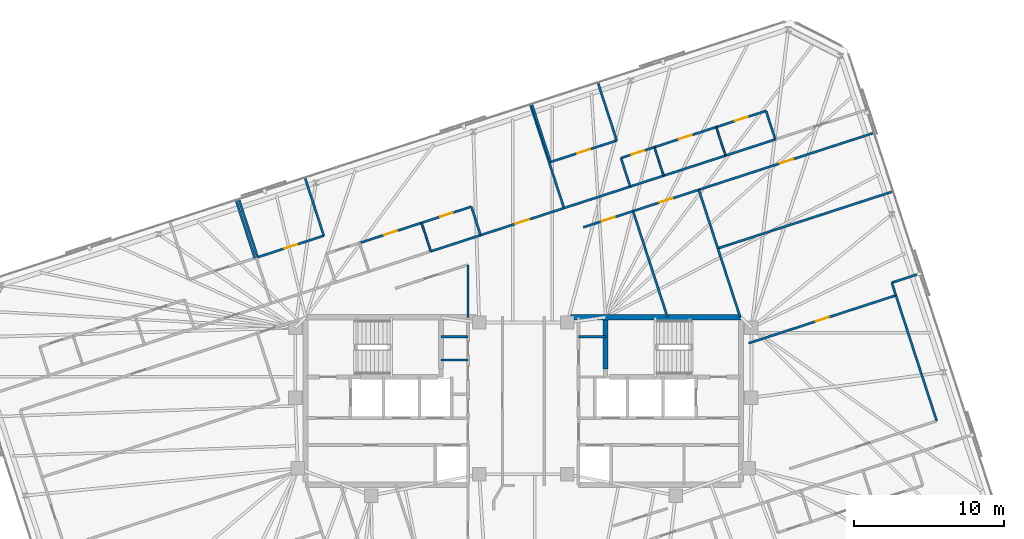
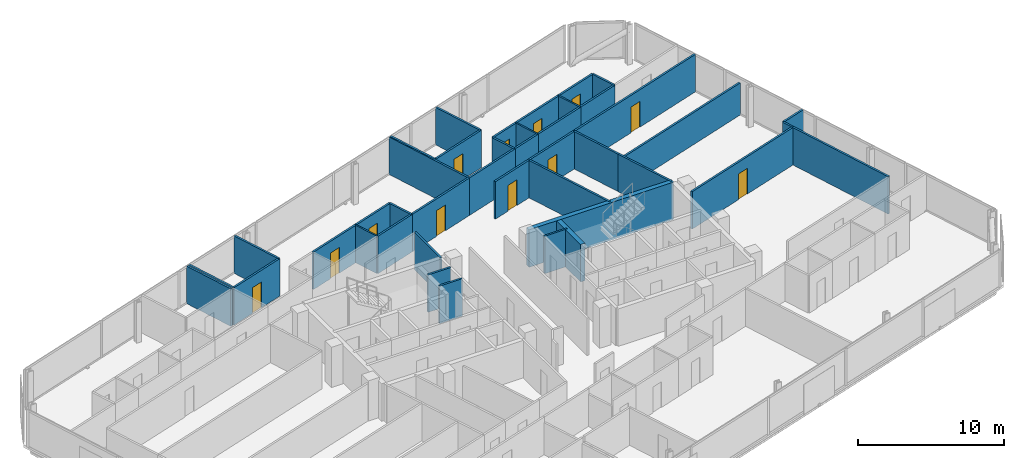
# One storey, part 17 of 20: 42 walls, 12 doors, 12 openings.
"""IFC4 building model written with IfcOpenShell, lengths in metres."""

import ifcopenshell
import ifcopenshell.guid

model = None  # the IFC model being written
_history = None  # IfcOwnerHistory: only IFC2X3 demands one
_inside = {}  # id of a spatial element -> (the spatial element, [elements in it])
_under = {}  # id of a project, library or spatial element -> (it, [spatial elements below it])
_declared = {}  # id of a project -> (the project, [libraries it declares])
_typed = {}  # id of a type object -> (the type object, [elements of that type])
_made_of = {}  # id of a material, layer set ... -> (it, [elements and type objects made of it])


def new_model(schema):
    """Start an empty IFC model of exactly this schema.

    Asked for "IFC4X3", IfcOpenShell would pick the latest addendum, in which some entities
    have other attributes; the version numbers below select the first issue.
    IFC2X3 requires an IfcOwnerHistory on every rooted entity: one is made here for all.
    """
    global model, _history
    if schema == "IFC4X3":
        model = ifcopenshell.file(schema_version=(4, 3, 0, 0))
    else:
        model = ifcopenshell.file(schema=schema)
    _inside.clear()
    _under.clear()
    _declared.clear()
    _typed.clear()
    _made_of.clear()
    _history = None
    if model.schema == "IFC2X3":
        org = make("IfcOrganization", Name="unknown")
        user = make(
            "IfcPersonAndOrganization",
            ThePerson=make("IfcPerson", FamilyName="unknown"),
            TheOrganization=org,
        )
        app = make(
            "IfcApplication",
            ApplicationDeveloper=org,
            Version="unknown",
            ApplicationFullName="unknown",
            ApplicationIdentifier="unknown",
        )
        _history = make(
            "IfcOwnerHistory",
            OwningUser=user,
            OwningApplication=app,
            ChangeAction="ADDED",
            CreationDate=0,
        )
    return model


def make(cls, **values):
    """One entity of the class cls with the attributes given. An attribute that is None is left unset."""
    return model.create_entity(
        cls, **{name: value for name, value in values.items() if value is not None}
    )


def rooted(cls, **values):
    """An entity with a GlobalId (a new one), such as an element, a storey or a relation."""
    return make(cls, GlobalId=ifcopenshell.guid.new(), OwnerHistory=_history, **values)


def si_unit(unit_type, name, prefix=None):
    """IfcSIUnit, for example si_unit("LENGTHUNIT", "METRE", prefix="MILLI")."""
    return make("IfcSIUnit", UnitType=unit_type, Prefix=prefix, Name=name)


def assignment(units):
    """IfcUnitAssignment: the units of a project."""
    return None if units is None else make("IfcUnitAssignment", Units=units)


def point(xyz):
    """IfcCartesianPoint."""
    return None if xyz is None else make("IfcCartesianPoint", Coordinates=xyz)


def direction(xyz):
    """IfcDirection."""
    return None if xyz is None else make("IfcDirection", DirectionRatios=xyz)


def frame(location, z_axis=None, x_axis=None):
    """IfcAxis2Placement3D, a coordinate frame: its origin and axes. An axis left out is left unset."""
    return make(
        "IfcAxis2Placement3D",
        Location=point(location),
        Axis=direction(z_axis),
        RefDirection=direction(x_axis),
    )


def frame_2d(location, x_axis=None):
    """IfcAxis2Placement2D, a coordinate frame in the plane: its origin and x axis."""
    return make(
        "IfcAxis2Placement2D", Location=point(location), RefDirection=direction(x_axis)
    )


def origin():
    """The frame at (0, 0, 0) with its axes left unset."""
    return frame((0.0, 0.0, 0.0))


def place(relative_to, where):
    """IfcLocalPlacement: puts the frame where relative to a parent placement (None: the world)."""
    return make(
        "IfcLocalPlacement", PlacementRelTo=relative_to, RelativePlacement=where
    )


def context(
    kind, dimensions, precision=None, world=None, true_north=None, identifier=None
):
    """IfcGeometricRepresentationContext, for example the 3D "Model" context."""
    return make(
        "IfcGeometricRepresentationContext",
        ContextIdentifier=identifier,
        ContextType=kind,
        CoordinateSpaceDimension=dimensions,
        Precision=precision,
        WorldCoordinateSystem=world,
        TrueNorth=true_north,
    )


def subcontext(parent, identifier, kind, view, scale=None):
    """IfcGeometricRepresentationSubContext, for example "Body" below "Model"."""
    return make(
        "IfcGeometricRepresentationSubContext",
        ContextIdentifier=identifier,
        ContextType=kind,
        ParentContext=parent,
        TargetScale=scale,
        TargetView=view,
    )


def project(units=None, contexts=None):
    """IfcProject with its units and contexts."""
    return rooted(
        "IfcProject",
        Name="project",
        RepresentationContexts=contexts,
        UnitsInContext=assignment(units),
    )


def spatial(cls, under=None, at=None, **own):
    """A site, building, storey or space (cls), placed at a placement, below another one or the project."""
    s = rooted(cls, ObjectPlacement=at, **own)
    if under is not None:
        _under.setdefault(under.id(), (under, []))[1].append(s)
    return s


def profile(cls, at=None, kind="AREA", **sizes):
    """A parametric profile (cls). Its sizes go by their IFC names, for example OverallWidth=200.0."""
    return make(cls, ProfileType=kind, Position=at, **sizes)


def rectangle(**sizes):
    """IfcRectangleProfileDef."""
    return profile("IfcRectangleProfileDef", **sizes)


def extrude(swept, where, along, depth):
    """IfcExtrudedAreaSolid: the profile swept, set in the frame where, extruded along a direction by depth."""
    return make(
        "IfcExtrudedAreaSolid",
        SweptArea=swept,
        Position=where,
        ExtrudedDirection=direction(along),
        Depth=depth,
    )


def shape(context_of_items, identifier, shape_type, items):
    """IfcShapeRepresentation: the items that make up one representation, for example the "Body"."""
    return make(
        "IfcShapeRepresentation",
        ContextOfItems=context_of_items,
        RepresentationIdentifier=identifier,
        RepresentationType=shape_type,
        Items=items,
    )


def material(Name=None, Category=None):
    """IfcMaterial."""
    return make("IfcMaterial", Name=Name, Category=Category)


def layer(
    of_material, thickness, ventilated=None, Name=None, Category=None, Priority=None
):
    """IfcMaterialLayer: one layer of a wall or slab, of a material (None: an air gap)."""
    return make(
        "IfcMaterialLayer",
        Material=of_material,
        LayerThickness=thickness,
        IsVentilated=ventilated,
        Name=Name,
        Category=Category,
        Priority=Priority,
    )


def layer_set(layers, Name=None):
    """IfcMaterialLayerSet."""
    return make("IfcMaterialLayerSet", MaterialLayers=layers, LayerSetName=Name)


def made_of(thing, what):
    """Note that an element or type object is made of a material, layer set ...; save() writes the relation."""
    if what is not None:
        _made_of.setdefault(what.id(), (what, []))[1].append(thing)
    return thing


def type_object(cls, material=None, **own):
    """A type object (cls), such as IfcWallType, which elements share."""
    return made_of(rooted(cls, **own), material)


def element(
    cls,
    number,
    at=None,
    inside=None,
    cuts=None,
    type_object=None,
    material=None,
    context=None,
    identifier="Body",
    shape_type=None,
    held_by="IfcProductDefinitionShape",
    body=None,
    shapes=None,
    **own,
):
    """One element of the class cls, such as IfcWall. Its Tag is "e" and its number.

    at: its placement. inside: the storey or other place that contains it. cuts: it is an
    opening in that element (IfcRelVoidsElement). A single representation is given by context,
    identifier, shape_type and body (its items); several are given by shapes. held_by: the class
    of the entity that holds the representations. save() writes the other relations.
    """
    e = rooted(cls, Tag="e%d" % number, ObjectPlacement=at, **own)
    if body is not None:
        shapes = [shape(context, identifier, shape_type, body)]
    if shapes is not None:
        e.Representation = make(held_by, Representations=shapes)
    if inside is not None:
        _inside.setdefault(inside.id(), (inside, []))[1].append(e)
    if cuts is not None:
        rooted(
            "IfcRelVoidsElement", RelatingBuildingElement=cuts, RelatedOpeningElement=e
        )
    if type_object is not None:
        _typed.setdefault(type_object.id(), (type_object, []))[1].append(e)
    return made_of(e, material)


def fill(opening, filler):
    """IfcRelFillsElement: the door or window that sits in an opening."""
    return rooted(
        "IfcRelFillsElement",
        RelatingOpeningElement=opening,
        RelatedBuildingElement=filler,
    )


def aggregate(whole, parts):
    """IfcRelAggregates: a whole, such as a stair, and the parts it consists of."""
    return rooted("IfcRelAggregates", RelatingObject=whole, RelatedObjects=parts)


def save(model, path):
    """Write the relations noted so far, then the file.

    IfcRelAggregates (storeys below a building ...), IfcRelContainedInSpatialStructure (elements
    in a storey), IfcRelDefinesByType, IfcRelAssociatesMaterial and IfcRelDeclares: one each for
    every whole, place, type object, material and project.
    """
    for whole, parts in _under.values():
        aggregate(whole, parts)
    for where, things in _inside.values():
        rooted(
            "IfcRelContainedInSpatialStructure",
            RelatedElements=things,
            RelatingStructure=where,
        )
    for kind, things in _typed.values():
        rooted("IfcRelDefinesByType", RelatedObjects=things, RelatingType=kind)
    for what, things in _made_of.values():
        rooted("IfcRelAssociatesMaterial", RelatedObjects=things, RelatingMaterial=what)
    for by, libraries in _declared.values():
        rooted("IfcRelDeclares", RelatingContext=by, RelatedDefinitions=libraries)
    model.write(path)


model = new_model("IFC4")

# Units and contexts
model_context = context("Model", 3, precision=1e-05, world=origin(), true_north=direction((0.0, 1.0)))
body_context = subcontext(model_context, "Body", "Model", "MODEL_VIEW")
ifc_project = project(units=[si_unit("LENGTHUNIT", "METRE"), si_unit("AREAUNIT", "SQUARE_METRE"), si_unit("VOLUMEUNIT", "CUBIC_METRE"), si_unit("PLANEANGLEUNIT", "RADIAN"), si_unit("MASSUNIT", "GRAM", prefix="KILO")], contexts=[model_context])

# Site, building, storey
site_placement = place(None, origin())
site = spatial("IfcSite", under=ifc_project, at=site_placement, CompositionType="ELEMENT")
building_placement = place(site_placement, origin())
building = spatial("IfcBuilding", under=site, at=building_placement, Name="Menara Jurai Vektor", CompositionType="ELEMENT")
storey_placement = place(building_placement, frame((0.0, 0.0, 237.699951171875)))
storey = spatial("IfcBuildingStorey", under=building, at=storey_placement, Name="L63", CompositionType="ELEMENT", Elevation=237.699951171875)

# Walls
ifc_material_1 = material(Name="Gypsum Fireboard Partition", Category="gypsum")
ifc_layer_1 = layer(ifc_material_1, 0.14990234375)
ifc_layer_set_1 = layer_set([ifc_layer_1], Name="Gypsum Fireboard Partition")
wall_type_1 = type_object("IfcWallType", Name="INT-WALL-CORR-150", PredefinedType="PARTITIONING", material=ifc_layer_set_1)
for number, where, z_axis, x_axis, name in (
    (1, (-5.5, 4.300048828125, 0.0), (0.0, 0.0, 1.0), (1.0, 0.0, 0.0), "Interior Wall IW-150 L63"),
    (2, (-5.5, 2.75, 0.0), (0.0, 0.0, 1.0), (1.0, 0.0, 0.0), "Interior Wall IW-150 L63"),
    (3, (3.699951171875, 4.300048828125, 0.0), (0.0, 0.0, 1.0), (1.0, 0.0, 0.0), "Interior Wall IW-150 L63"),
):
    element("IfcWall", number, at=place(storey_placement, frame(where, z_axis=z_axis, x_axis=x_axis)), inside=storey, type_object=wall_type_1, Name=name, PredefinedType="PARTITIONING", context=body_context, shape_type="SweptSolid", body=[
        extrude(rectangle(XDim=1.800048828125, YDim=0.14990234375, at=frame_2d((0.89990234375, 0.0))), origin(), (0.0, 0.0, 1.0), 3.125),
    ])

# Wall, opening, door
wall_1_placement = place(storey_placement, frame((-2.8564453125, 11.087158203125, 0.0), z_axis=(0.0, 0.0, 1.0), x_axis=(0.95106314138, 0.308996603718, 0.0)))
wall_1 = element("IfcWall", 4, at=wall_1_placement, inside=storey, type_object=wall_type_1, Name="Interior Wall IW-150 L63", PredefinedType="PARTITIONING", context=body_context, shape_type="SweptSolid", body=[
    extrude(rectangle(XDim=5.86181640625, YDim=0.14990234375, at=frame_2d((2.930908203125, 0.0))), origin(), (0.0, 0.0, 1.0), 3.125),
])
opening_1_placement = place(wall_1_placement, frame((2.4560546875, 0.0, 0.0)))
opening_1 = element("IfcOpeningElement", 5, at=opening_1_placement, cuts=wall_1, Name="Opening D63-15", PredefinedType="OPENING", context=body_context, shape_type="SweptSolid", body=[
    extrude(rectangle(XDim=0.949951171875, YDim=2.14990234375, at=frame_2d((0.47509765625, 1.074951171875))), frame((0.0, 0.0849609375, 0.0), z_axis=(0.0, -1.0, 0.0), x_axis=(1.0, 0.0, 0.0)), (0.0, 0.0, 1.0), 0.169921875),
])
ifc_material_2 = material(Name="Solid Core Timber Fire Door", Category="wood")
door_type_1 = type_object("IfcDoorType", Name="DR-ENTRY-950", OperationType="NOTDEFINED", PredefinedType="DOOR", material=ifc_material_2)
door_1_placement = place(opening_1_placement, origin())
door_1 = element("IfcDoor", 6, at=door_1_placement, inside=storey, type_object=door_type_1, Name="Interior Door D63-15", OperationType="SINGLE_SWING_LEFT", OverallHeight=2.14990234375, OverallWidth=0.949951171875, PredefinedType="DOOR", context=body_context, shape_type="SweptSolid", body=[
    extrude(rectangle(XDim=0.949951171875, YDim=2.14990234375, at=frame_2d((0.47509765625, 1.074951171875))), frame((0.0, 0.02490234375, 0.0), z_axis=(0.0, -1.0, 0.0), x_axis=(1.0, 0.0, 0.0)), (0.0, 0.0, 1.0), 0.050048828125),
])
fill(opening_1, door_1)

# Walls
wall_2_placement = place(storey_placement, frame((-6.185302734375, 10.005615234375, 0.0), z_axis=(0.0, 0.0, 1.0), x_axis=(0.951062257173, 0.308999325213, 0.0)))
element("IfcWall", 7, at=wall_2_placement, inside=storey, type_object=wall_type_1, Name="Interior Wall IW-150 L63", PredefinedType="PARTITIONING", context=body_context, shape_type="SweptSolid", body=[
    extrude(rectangle(XDim=3.500244140625, YDim=0.14990234375, at=frame_2d((1.75, 0.0))), origin(), (0.0, 0.0, 1.0), 3.125),
])
wall_3_placement = place(storey_placement, frame((2.718505859375, 12.8984375, 0.0), z_axis=(0.0, 0.0, 1.0), x_axis=(0.951053341802, 0.309026764289, 0.0)))
element("IfcWall", 8, at=wall_3_placement, inside=storey, type_object=wall_type_1, Name="Interior Wall IW-150 L63", PredefinedType="PARTITIONING", context=body_context, shape_type="SweptSolid", body=[
    extrude(rectangle(XDim=4.654052734375, YDim=0.14990234375, at=frame_2d((2.3271484375, 0.0))), origin(), (0.0, 0.0, 1.0), 3.125),
])
wall_4_placement = place(storey_placement, frame((7.144775390625, 14.336669921875, 0.0), z_axis=(0.0, 0.0, 1.0), x_axis=(0.951045519245, 0.309050837767, 0.0)))
element("IfcWall", 9, at=wall_4_placement, inside=storey, type_object=wall_type_1, Name="Interior Wall IW-150 L63", PredefinedType="PARTITIONING", context=body_context, shape_type="SweptSolid", body=[
    extrude(rectangle(XDim=2.35009765625, YDim=0.14990234375, at=frame_2d((1.175048828125, 0.0))), origin(), (0.0, 0.0, 1.0), 3.125),
])
wall_5_placement = place(storey_placement, frame((9.3798828125, 15.06298828125, 0.0), z_axis=(0.0, 0.0, 1.0), x_axis=(0.951069122051, 0.308978195154, 0.0)))
element("IfcWall", 10, at=wall_5_placement, inside=storey, type_object=wall_type_1, Name="Interior Wall IW-150 L63", PredefinedType="PARTITIONING", context=body_context, shape_type="SweptSolid", body=[
    extrude(rectangle(XDim=4.349853515625, YDim=0.14990234375, at=frame_2d((2.1748046875, 0.0))), origin(), (0.0, 0.0, 1.0), 3.125),
])
wall_6_placement = place(storey_placement, frame((13.516845703125, 16.406982421875, 0.0), z_axis=(0.0, 0.0, 1.0), x_axis=(0.951041757107, 0.309062414796, 0.0)))
element("IfcWall", 11, at=wall_6_placement, inside=storey, type_object=wall_type_1, Name="Interior Wall IW-150 L63", PredefinedType="PARTITIONING", context=body_context, shape_type="SweptSolid", body=[
    extrude(rectangle(XDim=3.500244140625, YDim=0.14990234375, at=frame_2d((1.75, 0.0))), origin(), (0.0, 0.0, 1.0), 3.125),
])

# Wall, opening, door
wall_7_placement = place(storey_placement, frame((4.013427734375, 11.61572265625, 0.0), z_axis=(0.0, 0.0, 1.0), x_axis=(0.951054104561, 0.309024416831, 0.0)))
wall_7 = element("IfcWall", 12, at=wall_7_placement, inside=storey, type_object=wall_type_1, Name="Interior Wall IW-150 L63", PredefinedType="PARTITIONING", context=body_context, shape_type="SweptSolid", body=[
    extrude(rectangle(XDim=3.491943359375, YDim=0.14990234375, at=frame_2d((1.74609375, 0.0))), origin(), (0.0, 0.0, 1.0), 3.125),
])
opening_2_placement = place(wall_7_placement, frame((1.285888671875, 0.0, 0.0)))
opening_2 = element("IfcOpeningElement", 13, at=opening_2_placement, cuts=wall_7, Name="Opening D63-49", PredefinedType="OPENING", context=body_context, shape_type="SweptSolid", body=[
    extrude(rectangle(XDim=0.919921875, YDim=2.14990234375, at=frame_2d((0.4599609375, 1.074951171875))), frame((0.0, 0.0849609375, 0.0), z_axis=(0.0, -1.0, 0.0), x_axis=(1.0, 0.0, 0.0)), (0.0, 0.0, 1.0), 0.169921875),
])
door_2_placement = place(opening_2_placement, origin())
door_2 = element("IfcDoor", 14, at=door_2_placement, inside=storey, type_object=door_type_1, Name="Interior Door D63-49", OperationType="SINGLE_SWING_LEFT", OverallHeight=2.14990234375, OverallWidth=0.919921875, PredefinedType="DOOR", context=body_context, shape_type="SweptSolid", body=[
    extrude(rectangle(XDim=0.919921875, YDim=2.14990234375, at=frame_2d((0.4599609375, 1.074951171875))), frame((0.0, 0.02490234375, 0.0), z_axis=(0.0, -1.0, 0.0), x_axis=(1.0, 0.0, 0.0)), (0.0, 0.0, 1.0), 0.050048828125),
])
fill(opening_2, door_2)

wall_8_placement = place(storey_placement, frame((7.33447265625, 12.69482421875, 0.0), z_axis=(0.0, 0.0, 1.0), x_axis=(0.951043772533, 0.30905621289, 0.0)))
wall_8 = element("IfcWall", 15, at=wall_8_placement, inside=storey, type_object=wall_type_1, Name="Interior Wall IW-150 L63", PredefinedType="PARTITIONING", context=body_context, shape_type="SweptSolid", body=[
    extrude(rectangle(XDim=4.6220703125, YDim=0.14990234375, at=frame_2d((2.31103515625, 0.0))), origin(), (0.0, 0.0, 1.0), 3.125),
])
opening_3_placement = place(wall_8_placement, frame((1.85107421875, 0.0, 0.0)))
opening_3 = element("IfcOpeningElement", 16, at=opening_3_placement, cuts=wall_8, Name="Opening D63-50", PredefinedType="OPENING", context=body_context, shape_type="SweptSolid", body=[
    extrude(rectangle(XDim=0.919921875, YDim=2.14990234375, at=frame_2d((0.4599609375, 1.074951171875))), frame((0.0, 0.0849609375, 0.0), z_axis=(0.0, -1.0, 0.0), x_axis=(1.0, 0.0, 0.0)), (0.0, 0.0, 1.0), 0.169921875),
])
door_3_placement = place(opening_3_placement, origin())
door_3 = element("IfcDoor", 17, at=door_3_placement, inside=storey, type_object=door_type_1, Name="Interior Door D63-50", OperationType="SINGLE_SWING_RIGHT", OverallHeight=2.14990234375, OverallWidth=0.919921875, PredefinedType="DOOR", context=body_context, shape_type="SweptSolid", body=[
    extrude(rectangle(XDim=0.919921875, YDim=2.14990234375, at=frame_2d((0.4599609375, 1.074951171875))), frame((0.0, 0.02490234375, 0.0), z_axis=(0.0, -1.0, 0.0), x_axis=(1.0, 0.0, 0.0)), (0.0, 0.0, 1.0), 0.050048828125),
])
fill(opening_3, door_3)

# Walls
wall_9_placement = place(storey_placement, frame((-3.7001953125, 5.599853515625, 0.0), z_axis=(0.0, 0.0, 1.0), x_axis=(0.000139120755, 0.999999990323, 0.0)))
element("IfcWall", 18, at=wall_9_placement, inside=storey, type_object=wall_type_1, Name="Interior Wall IW-150 L63", PredefinedType="PARTITIONING", context=body_context, shape_type="SweptSolid", body=[
    extrude(rectangle(XDim=3.509765625, YDim=0.14990234375, at=frame_2d((1.7548828125, 0.0))), origin(), (0.0, 0.0, 1.0), 3.125),
])
wall_10_placement = place(storey_placement, frame((27.63671875, -1.331787109375, 0.0), z_axis=(0.0, 0.0, 1.0), x_axis=(-0.309040411618, 0.951048907253, 0.0)))
element("IfcWall", 19, at=wall_10_placement, inside=storey, type_object=wall_type_1, Name="Interior Wall IW-150 L63", PredefinedType="PARTITIONING", context=body_context, shape_type="SweptSolid", body=[
    extrude(rectangle(XDim=8.825927734375, YDim=0.14990234375, at=frame_2d((4.4130859375, 0.0))), origin(), (0.0, 0.0, 1.0), 3.125),
])
wall_11_placement = place(storey_placement, frame((24.9091796875, 7.06201171875, 0.0), z_axis=(0.0, 0.0, 1.0), x_axis=(-0.30899324298, 0.951064233263, 0.0)))
element("IfcWall", 20, at=wall_11_placement, inside=storey, type_object=wall_type_1, Name="Interior Wall IW-150 L63", PredefinedType="PARTITIONING", context=body_context, shape_type="SweptSolid", body=[
    extrude(rectangle(XDim=0.89208984375, YDim=0.14990234375, at=frame_2d((0.446044921875, 0.0))), origin(), (0.0, 0.0, 1.0), 3.125),
])
wall_12_placement = place(storey_placement, frame((24.633544921875, 7.910400390625, 0.0), z_axis=(0.0, 0.0, 1.0), x_axis=(0.951054051148, 0.309024581215, 0.0)))
element("IfcWall", 21, at=wall_12_placement, inside=storey, type_object=wall_type_1, Name="Interior Wall IW-150 L63", PredefinedType="PARTITIONING", context=body_context, shape_type="SweptSolid", body=[
    extrude(rectangle(XDim=1.97509765625, YDim=0.14990234375, at=frame_2d((0.987548828125, 0.0))), origin(), (0.0, 0.0, 1.0), 3.125),
])

# Wall, opening, door
wall_13_placement = place(storey_placement, frame((11.730224609375, 14.123291015625, 0.0), z_axis=(0.0, 0.0, 1.0), x_axis=(0.951060263663, 0.309005460926, 0.0)))
wall_13 = element("IfcWall", 22, at=wall_13_placement, inside=storey, type_object=wall_type_1, Name="Interior Wall IW-150 L63", PredefinedType="PARTITIONING", context=body_context, shape_type="SweptSolid", body=[
    extrude(rectangle(XDim=12.326904296875, YDim=0.14990234375, at=frame_2d((6.16357421875, 0.0))), origin(), (0.0, 0.0, 1.0), 3.125),
])
opening_4_placement = place(wall_13_placement, frame((5.70361328125, 0.0, 0.0)))
opening_4 = element("IfcOpeningElement", 23, at=opening_4_placement, cuts=wall_13, Name="Opening D63-55", PredefinedType="OPENING", context=body_context, shape_type="SweptSolid", body=[
    extrude(rectangle(XDim=0.919921875, YDim=2.14990234375, at=frame_2d((0.4599609375, 1.074951171875))), frame((0.0, 0.0849609375, 0.0), z_axis=(0.0, -1.0, 0.0), x_axis=(1.0, 0.0, 0.0)), (0.0, 0.0, 1.0), 0.169921875),
])
door_4_placement = place(opening_4_placement, origin())
door_4 = element("IfcDoor", 24, at=door_4_placement, inside=storey, type_object=door_type_1, Name="Interior Door D63-55", OperationType="SINGLE_SWING_LEFT", OverallHeight=2.14990234375, OverallWidth=0.919921875, PredefinedType="DOOR", context=body_context, shape_type="SweptSolid", body=[
    extrude(rectangle(XDim=0.919921875, YDim=2.14990234375, at=frame_2d((0.4599609375, 1.074951171875))), frame((0.0, 0.02490234375, 0.0), z_axis=(0.0, -1.0, 0.0), x_axis=(1.0, 0.0, 0.0)), (0.0, 0.0, 1.0), 0.050048828125),
])
fill(opening_4, door_4)

# Wall
wall_14_placement = place(storey_placement, frame((-17.950927734375, 9.552490234375, 0.0), z_axis=(0.0, 0.0, 1.0), x_axis=(-0.309018403393, 0.951056058476, 0.0)))
element("IfcWall", 25, at=wall_14_placement, inside=storey, type_object=wall_type_1, Name="Interior Wall IW-150 L63", PredefinedType="PARTITIONING", context=body_context, shape_type="SweptSolid", body=[
    extrude(rectangle(XDim=4.0791015625, YDim=0.14990234375, at=frame_2d((2.03955078125, 0.0))), origin(), (0.0, 0.0, 1.0), 3.125),
])

# Wall, opening, door
wall_15_placement = place(storey_placement, frame((-10.94189453125, 10.568115234375, 0.0), z_axis=(0.0, 0.0, 1.0), x_axis=(0.951057987102, 0.309012467661, 0.0)))
wall_15 = element("IfcWall", 26, at=wall_15_placement, inside=storey, type_object=wall_type_1, Name="Interior Wall IW-150 L63", PredefinedType="PARTITIONING", context=body_context, shape_type="SweptSolid", body=[
    extrude(rectangle(XDim=4.35009765625, YDim=0.14990234375, at=frame_2d((2.175048828125, 0.0))), origin(), (0.0, 0.0, 1.0), 3.125),
])
opening_5_placement = place(wall_15_placement, frame((1.72509765625, 0.0, 0.0)))
opening_5 = element("IfcOpeningElement", 27, at=opening_5_placement, cuts=wall_15, Name="Opening D63-17", PredefinedType="OPENING", context=body_context, shape_type="SweptSolid", body=[
    extrude(rectangle(XDim=0.89990234375, YDim=2.14990234375, at=frame_2d((0.449951171875, 1.074951171875))), frame((0.0, 0.0849609375, 0.0), z_axis=(0.0, -1.0, 0.0), x_axis=(1.0, 0.0, 0.0)), (0.0, 0.0, 1.0), 0.169921875),
])
ifc_material_3 = material(Name="Acoustic Timber Interior Door", Category="wood")
door_type_2 = type_object("IfcDoorType", Name="DR-ROOM-900", OperationType="NOTDEFINED", PredefinedType="DOOR", material=ifc_material_3)
door_5_placement = place(opening_5_placement, origin())
door_5 = element("IfcDoor", 28, at=door_5_placement, inside=storey, type_object=door_type_2, Name="Interior Door D63-17", OperationType="SINGLE_SWING_LEFT", OverallHeight=2.14990234375, OverallWidth=0.89990234375, PredefinedType="DOOR", context=body_context, shape_type="SweptSolid", body=[
    extrude(rectangle(XDim=0.89990234375, YDim=2.14990234375, at=frame_2d((0.449951171875, 1.074951171875))), frame((0.0, 0.02490234375, 0.0), z_axis=(0.0, -1.0, 0.0), x_axis=(1.0, 0.0, 0.0)), (0.0, 0.0, 1.0), 0.050048828125),
])
fill(opening_5, door_5)

wall_16_placement = place(storey_placement, frame((-6.8046875, 11.912353515625, 0.0), z_axis=(0.0, 0.0, 1.0), x_axis=(0.951055596592, 0.309019824916, 0.0)))
wall_16 = element("IfcWall", 29, at=wall_16_placement, inside=storey, type_object=wall_type_1, Name="Interior Wall IW-150 L63", PredefinedType="PARTITIONING", context=body_context, shape_type="SweptSolid", body=[
    extrude(rectangle(XDim=3.5, YDim=0.14990234375, at=frame_2d((1.75, 0.0))), origin(), (0.0, 0.0, 1.0), 3.125),
])
opening_6_placement = place(wall_16_placement, frame((1.31005859375, 0.0, 0.0)))
opening_6 = element("IfcOpeningElement", 30, at=opening_6_placement, cuts=wall_16, Name="Opening D63-18", PredefinedType="OPENING", context=body_context, shape_type="SweptSolid", body=[
    extrude(rectangle(XDim=0.8798828125, YDim=2.14990234375, at=frame_2d((0.43994140625, 1.074951171875))), frame((0.0, 0.0849609375, 0.0), z_axis=(0.0, -1.0, 0.0), x_axis=(1.0, 0.0, 0.0)), (0.0, 0.0, 1.0), 0.169921875),
])
ifc_material_4 = material(Name="Moisture-Resistant Timber Door", Category="wood")
door_type_3 = type_object("IfcDoorType", Name="DR-BATH-880", OperationType="NOTDEFINED", PredefinedType="DOOR", material=ifc_material_4)
door_6_placement = place(opening_6_placement, origin())
door_6 = element("IfcDoor", 31, at=door_6_placement, inside=storey, type_object=door_type_3, Name="Interior Door D63-18", OperationType="SINGLE_SWING_RIGHT", OverallHeight=2.14990234375, OverallWidth=0.8798828125, PredefinedType="DOOR", context=body_context, shape_type="SweptSolid", body=[
    extrude(rectangle(XDim=0.8798828125, YDim=2.14990234375, at=frame_2d((0.43994140625, 1.074951171875))), frame((0.0, 0.02490234375, 0.0), z_axis=(0.0, -1.0, 0.0), x_axis=(1.0, 0.0, 0.0)), (0.0, 0.0, 1.0), 0.050048828125),
])
fill(opening_6, door_6)

# Walls
wall_17_placement = place(storey_placement, frame((-2.8564453125, 11.087158203125, 0.0), z_axis=(0.0, 0.0, 1.0), x_axis=(-0.309058537449, 0.951043017129, 0.0)))
element("IfcWall", 32, at=wall_17_placement, inside=storey, type_object=wall_type_1, Name="Interior Wall IW-150 L63", PredefinedType="PARTITIONING", context=body_context, shape_type="SweptSolid", body=[
    extrude(rectangle(XDim=2.0048828125, YDim=0.14990234375, at=frame_2d((1.00244140625, 0.0))), origin(), (0.0, 0.0, 1.0), 3.125),
])
wall_18_placement = place(storey_placement, frame((-17.7607421875, 9.6142578125, 0.0), z_axis=(0.0, 0.0, 1.0), x_axis=(-0.309018403393, 0.951056058476, 0.0)))
element("IfcWall", 33, at=wall_18_placement, inside=storey, type_object=wall_type_1, Name="Interior Wall IW-150 L63", PredefinedType="PARTITIONING", context=body_context, shape_type="SweptSolid", body=[
    extrude(rectangle(XDim=4.0791015625, YDim=0.14990234375, at=frame_2d((2.03955078125, 0.0))), origin(), (0.0, 0.0, 1.0), 3.125),
])

# Wall, opening, door
wall_19_placement = place(storey_placement, frame((-17.7607421875, 9.6142578125, 0.0), z_axis=(0.0, 0.0, 1.0), x_axis=(0.951050272606, 0.309036209813, 0.0)))
wall_19 = element("IfcWall", 34, at=wall_19_placement, inside=storey, type_object=wall_type_1, Name="Interior Wall IW-150 L63", PredefinedType="PARTITIONING", context=body_context, shape_type="SweptSolid", body=[
    extrude(rectangle(XDim=4.64990234375, YDim=0.14990234375, at=frame_2d((2.324951171875, 0.0))), origin(), (0.0, 0.0, 1.0), 3.125),
])
opening_7_placement = place(wall_19_placement, frame((1.875, 0.0, 0.0)))
opening_7 = element("IfcOpeningElement", 35, at=opening_7_placement, cuts=wall_19, Name="Opening D63-19", PredefinedType="OPENING", context=body_context, shape_type="SweptSolid", body=[
    extrude(rectangle(XDim=0.89990234375, YDim=2.14990234375, at=frame_2d((0.449951171875, 1.074951171875))), frame((0.0, 0.0849609375, 0.0), z_axis=(0.0, -1.0, 0.0), x_axis=(1.0, 0.0, 0.0)), (0.0, 0.0, 1.0), 0.169921875),
])
door_7_placement = place(opening_7_placement, origin())
door_7 = element("IfcDoor", 36, at=door_7_placement, inside=storey, type_object=door_type_2, Name="Interior Door D63-19", OperationType="SINGLE_SWING_LEFT", OverallHeight=2.14990234375, OverallWidth=0.89990234375, PredefinedType="DOOR", context=body_context, shape_type="SweptSolid", body=[
    extrude(rectangle(XDim=0.89990234375, YDim=2.14990234375, at=frame_2d((0.449951171875, 1.074951171875))), frame((0.0, 0.02490234375, 0.0), z_axis=(0.0, -1.0, 0.0), x_axis=(1.0, 0.0, 0.0)), (0.0, 0.0, 1.0), 0.050048828125),
])
fill(opening_7, door_7)

# Walls
wall_20_placement = place(storey_placement, frame((-13.33837890625, 11.05126953125, 0.0), z_axis=(0.0, 0.0, 1.0), x_axis=(-0.309018403393, 0.951056058476, 0.0)))
element("IfcWall", 37, at=wall_20_placement, inside=storey, type_object=wall_type_1, Name="Interior Wall IW-150 L63", PredefinedType="PARTITIONING", context=body_context, shape_type="SweptSolid", body=[
    extrude(rectangle(XDim=4.0791015625, YDim=0.14990234375, at=frame_2d((2.03955078125, 0.0))), origin(), (0.0, 0.0, 1.0), 3.125),
])
wall_21_placement = place(storey_placement, frame((2.718505859375, 12.8984375, 0.0), z_axis=(0.0, 0.0, 1.0), x_axis=(-0.308998913866, 0.951062390819, 0.0)))
element("IfcWall", 38, at=wall_21_placement, inside=storey, type_object=wall_type_1, Name="Interior Wall IW-150 L63", PredefinedType="PARTITIONING", context=body_context, shape_type="SweptSolid", body=[
    extrude(rectangle(XDim=7.283935546875, YDim=0.14990234375, at=frame_2d((3.64208984375, 0.0))), origin(), (0.0, 0.0, 1.0), 3.125),
])
wall_22_placement = place(storey_placement, frame((7.144775390625, 14.336669921875, 0.0), z_axis=(0.0, 0.0, 1.0), x_axis=(-0.308948390121, 0.951078804433, 0.0)))
element("IfcWall", 39, at=wall_22_placement, inside=storey, type_object=wall_type_1, Name="Interior Wall IW-150 L63", PredefinedType="PARTITIONING", context=body_context, shape_type="SweptSolid", body=[
    extrude(rectangle(XDim=2.0048828125, YDim=0.14990234375, at=frame_2d((1.00244140625, 0.0))), origin(), (0.0, 0.0, 1.0), 3.125),
])

# Wall, opening, door
wall_23_placement = place(storey_placement, frame((6.525390625, 16.243408203125, 0.0), z_axis=(0.0, 0.0, 1.0), x_axis=(0.951035595692, 0.309081373955, 0.0)))
wall_23 = element("IfcWall", 40, at=wall_23_placement, inside=storey, type_object=wall_type_1, Name="Interior Wall IW-150 L63", PredefinedType="PARTITIONING", context=body_context, shape_type="SweptSolid", body=[
    extrude(rectangle(XDim=2.349853515625, YDim=0.14990234375, at=frame_2d((1.1748046875, 0.0))), origin(), (0.0, 0.0, 1.0), 3.125),
])
opening_8_placement = place(wall_23_placement, frame((0.735107421875, 0.0, 0.0)))
opening_8 = element("IfcOpeningElement", 41, at=opening_8_placement, cuts=wall_23, Name="Opening D63-21", PredefinedType="OPENING", context=body_context, shape_type="SweptSolid", body=[
    extrude(rectangle(XDim=0.8798828125, YDim=2.14990234375, at=frame_2d((0.43994140625, 1.074951171875))), frame((0.0, 0.0849609375, 0.0), z_axis=(0.0, -1.0, 0.0), x_axis=(1.0, 0.0, 0.0)), (0.0, 0.0, 1.0), 0.169921875),
])
door_8_placement = place(opening_8_placement, origin())
door_8 = element("IfcDoor", 42, at=door_8_placement, inside=storey, type_object=door_type_3, Name="Interior Door D63-21", OperationType="SINGLE_SWING_LEFT", OverallHeight=2.14990234375, OverallWidth=0.8798828125, PredefinedType="DOOR", context=body_context, shape_type="SweptSolid", body=[
    extrude(rectangle(XDim=0.8798828125, YDim=2.14990234375, at=frame_2d((0.43994140625, 1.074951171875))), frame((0.0, 0.02490234375, 0.0), z_axis=(0.0, -1.0, 0.0), x_axis=(1.0, 0.0, 0.0)), (0.0, 0.0, 1.0), 0.050048828125),
])
fill(opening_8, door_8)

wall_24_placement = place(storey_placement, frame((8.76025390625, 16.9697265625, 0.0), z_axis=(0.0, 0.0, 1.0), x_axis=(0.951052627573, 0.309028962374, 0.0)))
wall_24 = element("IfcWall", 43, at=wall_24_placement, inside=storey, type_object=wall_type_1, Name="Interior Wall IW-150 L63", PredefinedType="PARTITIONING", context=body_context, shape_type="SweptSolid", body=[
    extrude(rectangle(XDim=4.349853515625, YDim=0.14990234375, at=frame_2d((2.1748046875, 0.0))), origin(), (0.0, 0.0, 1.0), 3.125),
])
opening_9_placement = place(wall_24_placement, frame((1.72509765625, 0.0, 0.0)))
opening_9 = element("IfcOpeningElement", 44, at=opening_9_placement, cuts=wall_24, Name="Opening D63-22", PredefinedType="OPENING", context=body_context, shape_type="SweptSolid", body=[
    extrude(rectangle(XDim=0.89990234375, YDim=2.14990234375, at=frame_2d((0.449951171875, 1.074951171875))), frame((0.0, 0.0849609375, 0.0), z_axis=(0.0, -1.0, 0.0), x_axis=(1.0, 0.0, 0.0)), (0.0, 0.0, 1.0), 0.169921875),
])
door_9_placement = place(opening_9_placement, origin())
door_9 = element("IfcDoor", 45, at=door_9_placement, inside=storey, type_object=door_type_2, Name="Interior Door D63-22", OperationType="SINGLE_SWING_RIGHT", OverallHeight=2.14990234375, OverallWidth=0.89990234375, PredefinedType="DOOR", context=body_context, shape_type="SweptSolid", body=[
    extrude(rectangle(XDim=0.89990234375, YDim=2.14990234375, at=frame_2d((0.449951171875, 1.074951171875))), frame((0.0, 0.02490234375, 0.0), z_axis=(0.0, -1.0, 0.0), x_axis=(1.0, 0.0, 0.0)), (0.0, 0.0, 1.0), 0.050048828125),
])
fill(opening_9, door_9)

wall_25_placement = place(storey_placement, frame((12.897216796875, 18.31396484375, 0.0), z_axis=(0.0, 0.0, 1.0), x_axis=(0.951062257173, 0.308999325213, 0.0)))
wall_25 = element("IfcWall", 46, at=wall_25_placement, inside=storey, type_object=wall_type_1, Name="Interior Wall IW-150 L63", PredefinedType="PARTITIONING", context=body_context, shape_type="SweptSolid", body=[
    extrude(rectangle(XDim=3.500244140625, YDim=0.14990234375, at=frame_2d((1.75, 0.0))), origin(), (0.0, 0.0, 1.0), 3.125),
])
opening_10_placement = place(wall_25_placement, frame((1.31005859375, 0.0, 0.0)))
opening_10 = element("IfcOpeningElement", 47, at=opening_10_placement, cuts=wall_25, Name="Opening D63-23", PredefinedType="OPENING", context=body_context, shape_type="SweptSolid", body=[
    extrude(rectangle(XDim=0.8798828125, YDim=2.14990234375, at=frame_2d((0.43994140625, 1.074951171875))), frame((0.0, 0.0849609375, 0.0), z_axis=(0.0, -1.0, 0.0), x_axis=(1.0, 0.0, 0.0)), (0.0, 0.0, 1.0), 0.169921875),
])
door_10_placement = place(opening_10_placement, origin())
door_10 = element("IfcDoor", 48, at=door_10_placement, inside=storey, type_object=door_type_3, Name="Interior Door D63-23", OperationType="SINGLE_SWING_LEFT", OverallHeight=2.14990234375, OverallWidth=0.8798828125, PredefinedType="DOOR", context=body_context, shape_type="SweptSolid", body=[
    extrude(rectangle(XDim=0.8798828125, YDim=2.14990234375, at=frame_2d((0.43994140625, 1.074951171875))), frame((0.0, 0.02490234375, 0.0), z_axis=(0.0, -1.0, 0.0), x_axis=(1.0, 0.0, 0.0)), (0.0, 0.0, 1.0), 0.050048828125),
])
fill(opening_10, door_10)

# Walls
wall_26_placement = place(storey_placement, frame((16.845703125, 17.48876953125, 0.0), z_axis=(0.0, 0.0, 1.0), x_axis=(-0.309058537449, 0.951043017129, 0.0)))
element("IfcWall", 49, at=wall_26_placement, inside=storey, type_object=wall_type_1, Name="Interior Wall IW-150 L63", PredefinedType="PARTITIONING", context=body_context, shape_type="SweptSolid", body=[
    extrude(rectangle(XDim=2.0048828125, YDim=0.14990234375, at=frame_2d((1.00244140625, 0.0))), origin(), (0.0, 0.0, 1.0), 3.125),
])
wall_27_placement = place(storey_placement, frame((1.8232421875, 15.9775390625, 0.0), z_axis=(0.0, 0.0, 1.0), x_axis=(-0.309018403393, 0.951056058476, 0.0)))
element("IfcWall", 50, at=wall_27_placement, inside=storey, type_object=wall_type_1, Name="Interior Wall IW-150 L63", PredefinedType="PARTITIONING", context=body_context, shape_type="SweptSolid", body=[
    extrude(rectangle(XDim=4.0791015625, YDim=0.14990234375, at=frame_2d((2.03955078125, 0.0))), origin(), (0.0, 0.0, 1.0), 3.125),
])

# Wall, opening, door
wall_28_placement = place(storey_placement, frame((1.8232421875, 15.9775390625, 0.0), z_axis=(0.0, 0.0, 1.0), x_axis=(0.951050272606, 0.309036209813, 0.0)))
wall_28 = element("IfcWall", 51, at=wall_28_placement, inside=storey, type_object=wall_type_1, Name="Interior Wall IW-150 L63", PredefinedType="PARTITIONING", context=body_context, shape_type="SweptSolid", body=[
    extrude(rectangle(XDim=4.64990234375, YDim=0.14990234375, at=frame_2d((2.324951171875, 0.0))), origin(), (0.0, 0.0, 1.0), 3.125),
])
opening_11_placement = place(wall_28_placement, frame((1.875, 0.0, 0.0)))
opening_11 = element("IfcOpeningElement", 52, at=opening_11_placement, cuts=wall_28, Name="Opening D63-24", PredefinedType="OPENING", context=body_context, shape_type="SweptSolid", body=[
    extrude(rectangle(XDim=0.89990234375, YDim=2.14990234375, at=frame_2d((0.449951171875, 1.074951171875))), frame((0.0, 0.0849609375, 0.0), z_axis=(0.0, -1.0, 0.0), x_axis=(1.0, 0.0, 0.0)), (0.0, 0.0, 1.0), 0.169921875),
])
door_11_placement = place(opening_11_placement, origin())
door_11 = element("IfcDoor", 53, at=door_11_placement, inside=storey, type_object=door_type_2, Name="Interior Door D63-24", OperationType="SINGLE_SWING_RIGHT", OverallHeight=2.14990234375, OverallWidth=0.89990234375, PredefinedType="DOOR", context=body_context, shape_type="SweptSolid", body=[
    extrude(rectangle(XDim=0.89990234375, YDim=2.14990234375, at=frame_2d((0.449951171875, 1.074951171875))), frame((0.0, 0.02490234375, 0.0), z_axis=(0.0, -1.0, 0.0), x_axis=(1.0, 0.0, 0.0)), (0.0, 0.0, 1.0), 0.050048828125),
])
fill(opening_11, door_11)

# Walls
wall_29_placement = place(storey_placement, frame((6.24560546875, 17.41455078125, 0.0), z_axis=(0.0, 0.0, 1.0), x_axis=(-0.308981853652, 0.95106793349, 0.0)))
element("IfcWall", 54, at=wall_29_placement, inside=storey, type_object=wall_type_1, Name="Interior Wall IW-150 L63", PredefinedType="PARTITIONING", context=body_context, shape_type="SweptSolid", body=[
    extrude(rectangle(XDim=4.07861328125, YDim=0.14990234375, at=frame_2d((2.039306640625, 0.0))), origin(), (0.0, 0.0, 1.0), 3.125),
])
wall_30_placement = place(storey_placement, frame((9.6396484375, 5.60009765625, 0.0), z_axis=(0.0, 0.0, 1.0), x_axis=(-0.309012069377, 0.95105811651, 0.0)))
element("IfcWall", 55, at=wall_30_placement, inside=storey, type_object=wall_type_1, Name="Interior Wall IW-150 L63", PredefinedType="PARTITIONING", context=body_context, shape_type="SweptSolid", body=[
    extrude(rectangle(XDim=7.459716796875, YDim=0.14990234375, at=frame_2d((3.72998046875, 0.0))), origin(), (0.0, 0.0, 1.0), 3.125),
])
wall_31_placement = place(storey_placement, frame((14.49951171875, 5.599853515625, 0.0), z_axis=(0.0, 0.0, 1.0), x_axis=(-0.308974360462, 0.951070367837, 0.0)))
element("IfcWall", 56, at=wall_31_placement, inside=storey, type_object=wall_type_1, Name="Interior Wall IW-150 L63", PredefinedType="PARTITIONING", context=body_context, shape_type="SweptSolid", body=[
    extrude(rectangle(XDim=4.843017578125, YDim=0.14990234375, at=frame_2d((2.42138671875, 0.0))), origin(), (0.0, 0.0, 1.0), 3.125),
])
wall_32_placement = place(storey_placement, frame((13.003173828125, 10.205810546875, 0.0), z_axis=(0.0, 0.0, 1.0), x_axis=(-0.309035144366, 0.951050618814, 0.0)))
element("IfcWall", 57, at=wall_32_placement, inside=storey, type_object=wall_type_1, Name="Interior Wall IW-150 L63", PredefinedType="PARTITIONING", context=body_context, shape_type="SweptSolid", body=[
    extrude(rectangle(XDim=4.119140625, YDim=0.14990234375, at=frame_2d((2.0595703125, 0.0))), origin(), (0.0, 0.0, 1.0), 3.125),
])

# Wall, opening, door
wall_33_placement = place(storey_placement, frame((15.06396484375, 3.86328125, 0.0), z_axis=(0.0, 0.0, 1.0), x_axis=(0.951061448945, 0.309001812827, 0.0)))
wall_33 = element("IfcWall", 58, at=wall_33_placement, inside=storey, type_object=wall_type_1, Name="Interior Wall IW-150 L63", PredefinedType="PARTITIONING", context=body_context, shape_type="SweptSolid", body=[
    extrude(rectangle(XDim=10.351806640625, YDim=0.14990234375, at=frame_2d((5.17578125, 0.0))), origin(), (0.0, 0.0, 1.0), 3.125),
])
opening_12_placement = place(wall_33_placement, frame((4.716064453125, 0.0, 0.0)))
opening_12 = element("IfcOpeningElement", 59, at=opening_12_placement, cuts=wall_33, Name="Opening D63-54", PredefinedType="OPENING", context=body_context, shape_type="SweptSolid", body=[
    extrude(rectangle(XDim=0.919921875, YDim=2.14990234375, at=frame_2d((0.4599609375, 1.074951171875))), frame((0.0, 0.0849609375, 0.0), z_axis=(0.0, -1.0, 0.0), x_axis=(1.0, 0.0, 0.0)), (0.0, 0.0, 1.0), 0.169921875),
])
door_12_placement = place(opening_12_placement, origin())
door_12 = element("IfcDoor", 60, at=door_12_placement, inside=storey, type_object=door_type_1, Name="Interior Door D63-54", OperationType="SINGLE_SWING_RIGHT", OverallHeight=2.14990234375, OverallWidth=0.919921875, PredefinedType="DOOR", context=body_context, shape_type="SweptSolid", body=[
    extrude(rectangle(XDim=0.919921875, YDim=2.14990234375, at=frame_2d((0.4599609375, 1.074951171875))), frame((0.0, 0.02490234375, 0.0), z_axis=(0.0, -1.0, 0.0), x_axis=(1.0, 0.0, 0.0)), (0.0, 0.0, 1.0), 0.050048828125),
])
fill(opening_12, door_12)

# Walls
ifc_layer_2 = layer(ifc_material_1, 0.14990234375)
ifc_layer_set_2 = layer_set([ifc_layer_2], Name="Gypsum Fireboard Partition")
wall_type_2 = type_object("IfcWallType", Name="INT-WALL-CORR-150-H1", PredefinedType="PARTITIONING", material=ifc_layer_set_2)
wall_34_placement = place(storey_placement, frame((13.003173828125, 10.205810546875, 0.0), z_axis=(0.0, 0.0, 1.0), x_axis=(0.951060263663, 0.309005460926, 0.0)))
element("IfcWall", 61, at=wall_34_placement, inside=storey, type_object=wall_type_2, Name="Interior Wall IW-150 L63", PredefinedType="PARTITIONING", context=body_context, shape_type="SweptSolid", body=[
    extrude(rectangle(XDim=12.326904296875, YDim=0.14990234375, at=frame_2d((6.16357421875, 0.0))), origin(), (0.0, 0.0, 1.0), 2.675048828125),
])
ifc_material_5 = material(Name="Gypsum Acoustic Stud Partition", Category="gypsum")
ifc_layer_3 = layer(ifc_material_5, 0.1201171875)
ifc_layer_set_3 = layer_set([ifc_layer_3], Name="Gypsum Acoustic Stud Partition")
wall_type_3 = type_object("IfcWallType", Name="INT-WALL-PART-120", PredefinedType="PARTITIONING", material=ifc_layer_set_3)
for number, where, z_axis, x_axis, name in (
    (62, (-6.185302734375, 10.005615234375, 0.0), (0.0, 0.0, 1.0), (-0.308948390121, 0.951078804433, 0.0), "Interior Wall IW-120 L63"),
    (63, (9.3798828125, 15.06298828125, 0.0), (0.0, 0.0, 1.0), (-0.309058537449, 0.951043017129, 0.0), "Interior Wall IW-120 L63"),
):
    element("IfcWall", number, at=place(storey_placement, frame(where, z_axis=z_axis, x_axis=x_axis)), inside=storey, type_object=wall_type_3, Name=name, PredefinedType="PARTITIONING", context=body_context, shape_type="SweptSolid", body=[
        extrude(rectangle(XDim=2.0048828125, YDim=0.1201171875, at=frame_2d((1.00244140625, 0.0))), origin(), (0.0, 0.0, 1.0), 3.125),
    ])
wall_35_placement = place(storey_placement, frame((13.516845703125, 16.406982421875, 0.0), z_axis=(0.0, 0.0, 1.0), x_axis=(-0.309022749039, 0.951054646472, 0.0)))
element("IfcWall", 64, at=wall_35_placement, inside=storey, type_object=wall_type_3, Name="Interior Wall IW-120 L63", PredefinedType="PARTITIONING", context=body_context, shape_type="SweptSolid", body=[
    extrude(rectangle(XDim=2.005126953125, YDim=0.1201171875, at=frame_2d((1.00244140625, 0.0))), origin(), (0.0, 0.0, 1.0), 3.125),
])
ifc_material_6 = material(Name="Concrete C50/60", Category="concrete")
ifc_layer_4 = layer(ifc_material_6, 0.35009765625)
ifc_layer_set_4 = layer_set([ifc_layer_4], Name="Concrete C50/60")
wall_type_4 = type_object("IfcWallType", Name="STR-WALL-CORE350", PredefinedType="SHEAR", material=ifc_layer_set_4)
wall_36_placement = place(storey_placement, frame((3.14990234375, 5.60009765625, 0.0), z_axis=(0.0, 0.0, 1.0), x_axis=(1.0, 0.0, 0.0)))
element("IfcWall", 65, at=wall_36_placement, inside=storey, type_object=wall_type_4, Name="Core Shear Wall CW-E-N L63", PredefinedType="SHEAR", context=body_context, shape_type="SweptSolid", body=[
    extrude(rectangle(XDim=11.41015625, YDim=0.35009765625, at=frame_2d((5.705078125, 0.0))), origin(), (0.0, 0.0, 1.0), 3.125),
])
wall_37_placement = place(storey_placement, frame((5.5, 2.14990234375, 0.0), z_axis=(0.0, 0.0, 1.0), x_axis=(0.0, 1.0, 0.0)))
element("IfcWall", 66, at=wall_37_placement, inside=storey, type_object=wall_type_4, Name="Core Shear Wall CW-E-ST L63", PredefinedType="SHEAR", context=body_context, shape_type="SweptSolid", body=[
    extrude(rectangle(XDim=3.275146484375, YDim=0.35009765625, at=frame_2d((1.6376953125, 0.0))), origin(), (0.0, 0.0, 1.0), 3.125),
])

save(model, "model.ifc")
